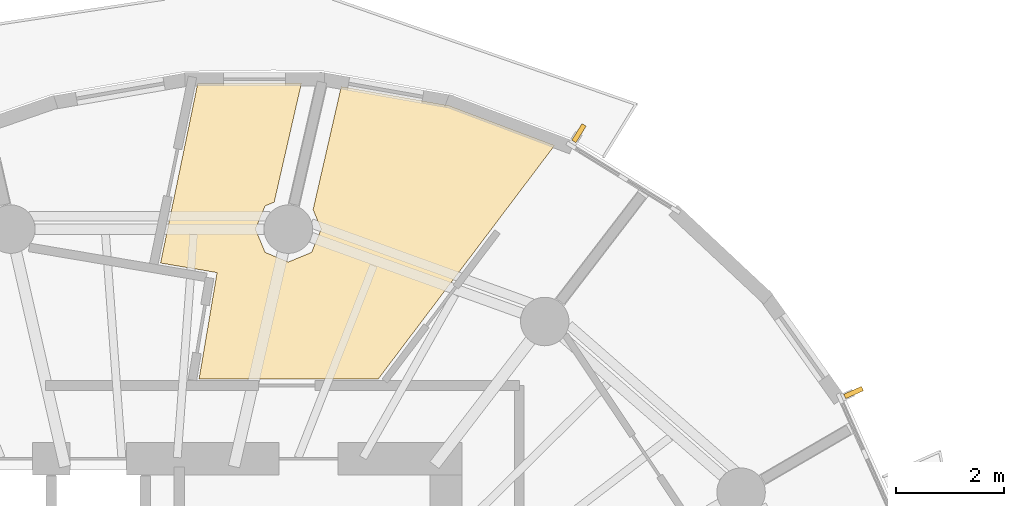
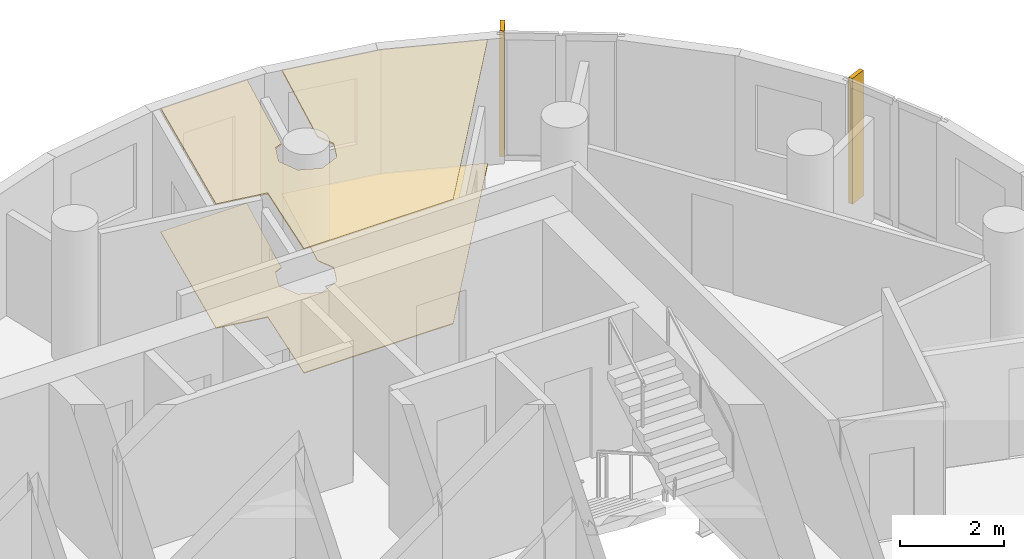
# One storey, part 10 of 10: 2 coverings, 2 shading devices.
"""IFC4 building model written with IfcOpenShell, lengths in metres."""

from ifc_helpers import new_model, si_unit, direction, frame, origin, origin_2d, place, context, subcontext, project, spatial, polyline, rectangle, outline, extrude, material, layer, layer_set, type_object, element, save


model = new_model("IFC4")

# Units and contexts
model_context = context("Model", 3, precision=1e-05, world=origin(), true_north=direction((0.0, 1.0)))
body_context = subcontext(model_context, "Body", "Model", "MODEL_VIEW")
ifc_project = project(units=[si_unit("LENGTHUNIT", "METRE"), si_unit("AREAUNIT", "SQUARE_METRE"), si_unit("VOLUMEUNIT", "CUBIC_METRE"), si_unit("PLANEANGLEUNIT", "RADIAN"), si_unit("MASSUNIT", "GRAM", prefix="KILO")], contexts=[model_context])

# Site, building, storey
site_placement = place(None, origin())
site = spatial("IfcSite", under=ifc_project, at=site_placement, CompositionType="ELEMENT")
building_placement = place(site_placement, origin())
building = spatial("IfcBuilding", under=site, at=building_placement, Name="Veldorim Arch Residences", CompositionType="ELEMENT")
storey_placement = place(building_placement, frame((0.0, 0.0, 166.239990234375)))
storey = spatial("IfcBuildingStorey", under=building, at=storey_placement, Name="L49", CompositionType="ELEMENT", Elevation=166.239990234375)

# Coverings
ifc_material_1 = material(Name="Acoustic Gypsum & Mineral Fibre", Category="gypsum")
ifc_layer_1 = layer(ifc_material_1, 0.034912109375, Name="Perforated Acoustic Mineral-Fibre Ceiling 35")
ifc_layer_set_1 = layer_set([ifc_layer_1], Name="Acoustic Gypsum & Mineral Fibre")
covering_type_1 = type_object("IfcCoveringType", Name="Perforated Acoustic Mineral-Fibre Ceiling 35", PredefinedType="CEILING", material=ifc_layer_set_1)
covering_1_placement = place(storey_placement, frame((0.0, 0.0, 2.905029296875)))
element("IfcCovering", 1, at=covering_1_placement, inside=storey, type_object=covering_type_1, Name="L49 acoustic suspended ceiling 02", PredefinedType="CEILING", context=body_context, shape_type="SweptSolid", body=[
    extrude(outline(polyline([(34.143798828125, 35.690673828125), (33.96533203125, 35.259521484375), (34.143798828125, 34.828125), (34.5751953125, 34.6494140625), (35.006591796875, 34.828125), (35.18505859375, 35.259521484375), (35.034912109375, 35.62158203125), (35.55712890625, 37.904296875), (37.552490234375, 37.552490234375), (39.515380859375, 36.8134765625), (36.24365234375, 32.47998046875), (32.919677734375, 32.47998046875), (33.253173828125, 34.45361328125), (32.20458984375, 34.630615234375), (32.89453125, 37.9638671875), (34.818115234375, 37.968994140625), (34.312744140625, 35.760498046875), (34.143798828125, 35.690673828125)])), origin(), (0.0, 0.0, 1.0), 0.034912109375),
])
ifc_material_2 = material(Name="Porcelain Ceramic Tile", Category="ceramic")
ifc_layer_2 = layer(ifc_material_2, 0.02001953125, Name="Slip-Resistant Porcelain & Vinyl Floor Finish 20")
ifc_layer_set_2 = layer_set([ifc_layer_2], Name="Porcelain Ceramic Tile")
covering_type_2 = type_object("IfcCoveringType", Name="Slip-Resistant Porcelain & Vinyl Floor Finish 20", PredefinedType="FLOORING", material=ifc_layer_set_2)
covering_2_placement = place(storey_placement, origin())
element("IfcCovering", 2, at=covering_2_placement, inside=storey, type_object=covering_type_2, Name="L49 porcelain floor finish 02", PredefinedType="FLOORING", context=body_context, shape_type="SweptSolid", body=[
    extrude(outline(polyline([(34.143798828125, 35.690673828125), (33.96533203125, 35.259521484375), (34.143798828125, 34.828125), (34.5751953125, 34.6494140625), (35.006591796875, 34.828125), (35.18505859375, 35.259521484375), (35.034912109375, 35.62158203125), (35.55712890625, 37.904296875), (37.552490234375, 37.552490234375), (39.515380859375, 36.8134765625), (36.24365234375, 32.47998046875), (32.919677734375, 32.47998046875), (33.253173828125, 34.45361328125), (32.20458984375, 34.630615234375), (32.89453125, 37.9638671875), (34.818115234375, 37.968994140625), (34.312744140625, 35.760498046875), (34.143798828125, 35.690673828125)])), origin(), (0.0, 0.0, 1.0), 0.02001953125),
])

# Shading devices
ifc_material_3 = material(Name="Terracotta Ceramic", Category="masonry")
ifc_layer_3 = layer(ifc_material_3, 0.090087890625, Name="Vertical Extruded Terracotta Baguette Sun-Shading Fin")
ifc_layer_set_3 = layer_set([ifc_layer_3], Name="Terracotta Ceramic")
shading_device_type = type_object("IfcShadingDeviceType", Name="Vertical Extruded Terracotta Baguette Sun-Shading Fin", PredefinedType="USERDEFINED", material=ifc_layer_set_3)
for number, where, z_axis, x_axis, name in (
    (3, (39.9677734375, 37.040283203125, 0.0), (0.0, 0.0, 1.0), (0.850719384362, -0.52562013762, 0.0), "L49 vertical terracotta sun-shading fin 02"),
    (4, (45.06298828125, 32.228515625, 0.0), (0.0, 0.0, 1.0), (0.407214918582, -0.913332365617, 0.0), "L49 vertical terracotta sun-shading fin 35"),
):
    element("IfcShadingDevice", number, at=place(storey_placement, frame(where, z_axis=z_axis, x_axis=x_axis)), inside=storey, type_object=shading_device_type, Name=name, ObjectType="FIN", PredefinedType="USERDEFINED", context=body_context, shape_type="SweptSolid", body=[
        extrude(rectangle(XDim=0.090087890625, YDim=0.360107421875, at=origin_2d()), origin(), (0.0, 0.0, 1.0), 2.9599609375),
    ])

save(model, "model.ifc")
